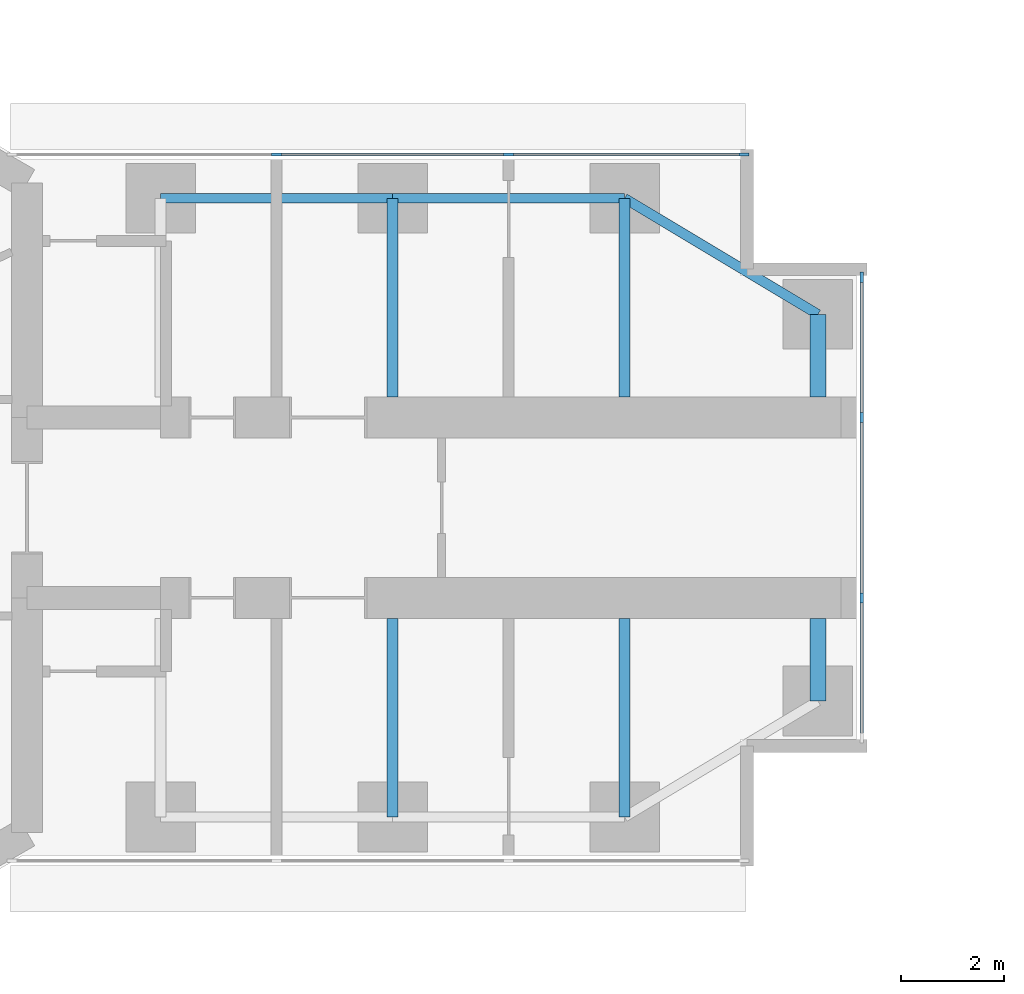
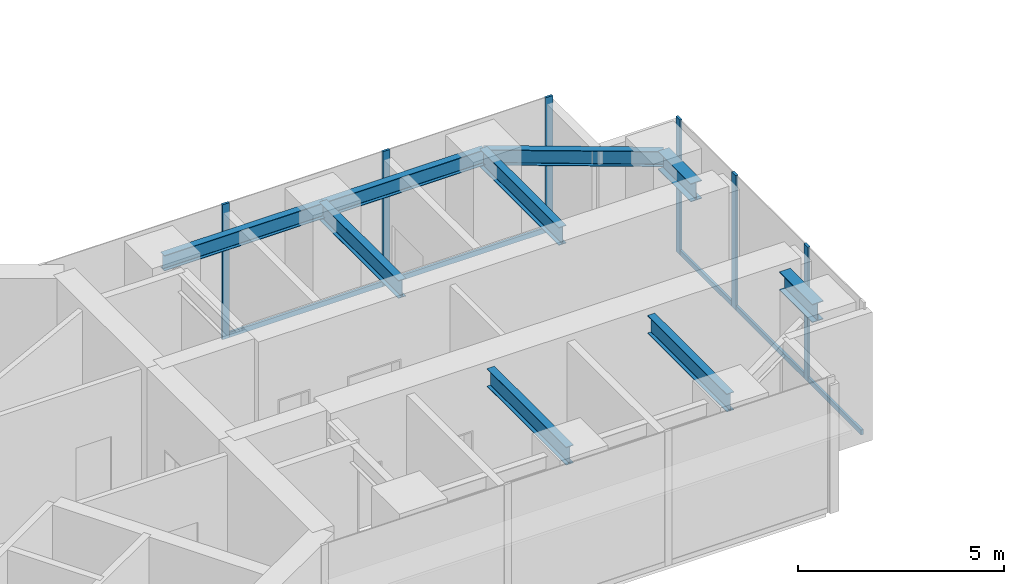
# One storey, part 7 of 21: 11 members, 9 beams, 2 elements without a shape of their own.
"""IFC4 building model written with IfcOpenShell, lengths in metres."""

from ifc_helpers import new_model, si_unit, direction, frame, origin, origin_2d, place, context, subcontext, project, spatial, rectangle, i_section, extrude, material, material_profile, profile_set, type_object, element, aggregate, save


model = new_model("IFC4")

# Units and contexts
model_context = context("Model", 3, precision=1e-05, world=origin(), true_north=direction((0.0, 1.0)))
body_context = subcontext(model_context, "Body", "Model", "MODEL_VIEW")
ifc_project = project(units=[si_unit("LENGTHUNIT", "METRE"), si_unit("AREAUNIT", "SQUARE_METRE"), si_unit("VOLUMEUNIT", "CUBIC_METRE"), si_unit("PLANEANGLEUNIT", "RADIAN"), si_unit("MASSUNIT", "GRAM", prefix="KILO")], contexts=[model_context])

# Site, building, storey
site_placement = place(None, origin())
site = spatial("IfcSite", under=ifc_project, at=site_placement, CompositionType="ELEMENT")
building_placement = place(site_placement, origin())
building = spatial("IfcBuilding", under=site, at=building_placement, Name="Upepo Twin Towers", CompositionType="ELEMENT")
storey_placement = place(building_placement, frame((0.0, 0.0, 117.5)))
storey = spatial("IfcBuildingStorey", under=building, at=storey_placement, Name="L28", CompositionType="ELEMENT", Elevation=117.5)

# Beams
ifc_material_1 = material(Name="Steel S355", Category="steel")
ifc_material_profile_1 = material_profile(ifc_material_1, i_section(OverallWidth=0.1904296875, OverallDepth=0.45703125, WebThickness=0.009033203125, FlangeThickness=0.014404296875, FilletRadius=0.01025390625, at=origin_2d()), Name="UB 457x191x74")
ifc_profile_set_1 = profile_set([ifc_material_profile_1], Name="Steel S355")
beam_type_1 = type_object("IfcBeamType", Name="Beam UB 457x191x74", PredefinedType="BEAM", material=ifc_profile_set_1)
for number, where, z_axis, x_axis, name in (
    (1, (13.5, 6.0, 3.571533203125), (1.0, 0.0, 0.0), (0.0, 1.0, 0.0), "T1 edge beam AL 13.5-18.0"),
    (2, (18.0, 6.0, 3.571533203125), (1.0, 0.0, 0.0), (0.0, 1.0, 0.0), "T1 edge beam AL 18.0-22.5"),
):
    element("IfcBeam", number, at=place(storey_placement, frame(where, z_axis=z_axis, x_axis=x_axis)), inside=storey, type_object=beam_type_1, Name=name, PredefinedType="BEAM", context=body_context, shape_type="SweptSolid", body=[
        extrude(i_section(OverallWidth=0.1904296875, OverallDepth=0.45703125, WebThickness=0.009033203125, FlangeThickness=0.014404296875, FilletRadius=0.01025390625, at=origin_2d()), origin(), (0.0, 0.0, 1.0), 4.5),
    ])
beam_placement = place(storey_placement, frame((22.5, 6.0, 3.571533203125), z_axis=(0.857492925713, -0.514495755428, 0.0), x_axis=(0.514495755428, 0.857492925713, 0.0)))
element("IfcBeam", 3, at=beam_placement, inside=storey, type_object=beam_type_1, Name="T1 nose edge beam AL", PredefinedType="BEAM", context=body_context, shape_type="SweptSolid", body=[
    extrude(i_section(OverallWidth=0.1904296875, OverallDepth=0.45703125, WebThickness=0.009033203125, FlangeThickness=0.014404296875, FilletRadius=0.01025390625, at=origin_2d()), origin(), (0.0, 0.0, 1.0), 4.373291015625),
])
ifc_material_2 = material(Name="Steel S355", Category="steel")
ifc_material_profile_2 = material_profile(ifc_material_2, i_section(OverallWidth=0.209228515625, OverallDepth=0.533203125, WebThickness=0.010009765625, FlangeThickness=0.015625, FilletRadius=0.0126953125, at=origin_2d()), Name="UB 533x210x92")
ifc_profile_set_2 = profile_set([ifc_material_profile_2], Name="Steel S355")
beam_type_2 = type_object("IfcBeamType", Name="Beam UB 533x210x92", PredefinedType="BEAM", material=ifc_profile_set_2)
for number, where, z_axis, x_axis, name in (
    (4, (18.0, 6.0, 3.533447265625), (0.0, -1.0, 0.0), (1.0, 0.0, 0.0), "T1 girder AL at 18.0"),
    (5, (22.5, 6.0, 3.533447265625), (0.0, -1.0, 0.0), (1.0, 0.0, 0.0), "T1 girder AL at 22.5"),
    (6, (18.0, -6.0, 3.533447265625), (0.0, 1.0, 0.0), (-1.0, 0.0, 0.0), "T1 girder AR at 18.0"),
    (7, (22.5, -6.0, 3.533447265625), (0.0, 1.0, 0.0), (-1.0, 0.0, 0.0), "T1 girder AR at 22.5"),
):
    element("IfcBeam", number, at=place(storey_placement, frame(where, z_axis=z_axis, x_axis=x_axis)), inside=storey, type_object=beam_type_2, Name=name, PredefinedType="BEAM", context=body_context, shape_type="SweptSolid", body=[
        extrude(i_section(OverallWidth=0.209228515625, OverallDepth=0.533203125, WebThickness=0.010009765625, FlangeThickness=0.015625, FilletRadius=0.0126953125, at=origin_2d()), origin(), (0.0, 0.0, 1.0), 3.85009765625),
    ])
ifc_material_3 = material(Name="Steel S355", Category="steel")
ifc_material_profile_3 = material_profile(ifc_material_3, i_section(OverallWidth=0.31201171875, OverallDepth=0.54345703125, WebThickness=0.0126953125, FlangeThickness=0.020263671875, FilletRadius=0.0126953125, at=origin_2d()), Name="UB 533x312x150")
ifc_profile_set_3 = profile_set([ifc_material_profile_3], Name="Steel S355")
beam_type_3 = type_object("IfcBeamType", Name="Beam UB 533x312x150", PredefinedType="BEAM", material=ifc_profile_set_3)
for number, where, z_axis, x_axis, name in (
    (8, (26.25, 3.75, 3.5283203125), (0.0, -1.0, 0.0), (1.0, 0.0, 0.0), "T1 nose beam AL"),
    (9, (26.25, -3.75, 3.5283203125), (0.0, 1.0, 0.0), (-1.0, 0.0, 0.0), "T1 nose beam AR"),
):
    element("IfcBeam", number, at=place(storey_placement, frame(where, z_axis=z_axis, x_axis=x_axis)), inside=storey, type_object=beam_type_3, Name=name, PredefinedType="BEAM", context=body_context, shape_type="SweptSolid", body=[
        extrude(i_section(OverallWidth=0.31201171875, OverallDepth=0.54345703125, WebThickness=0.0126953125, FlangeThickness=0.020263671875, FilletRadius=0.0126953125, at=origin_2d()), origin(), (0.0, 0.0, 1.0), 1.60009765625),
    ])

# Curtain wall, members
ifc_material_4 = material(Name="Aluminium and fritted glass", Category="aluminium")
curtain_wall_type = type_object("IfcCurtainWallType", Name="Tower curtain wall TW2, fritted glass", PredefinedType="NOTDEFINED", material=ifc_material_4)
curtain_wall_1_placement = place(storey_placement, origin())
curtain_wall_1 = element("IfcCurtainWall", 10, at=curtain_wall_1_placement, inside=storey, type_object=curtain_wall_type, Name="T1 L28 wing A flank L curtain wall", PredefinedType="NOTDEFINED")
ifc_material_5 = material(Name="Aluminium mullion", Category="aluminium")
ifc_material_profile_4 = material_profile(ifc_material_5, rectangle(XDim=0.06494140625, YDim=0.199951171875, at=origin_2d()), Name="MULLION 65x200")
ifc_profile_set_4 = profile_set([ifc_material_profile_4], Name="Aluminium mullion")
member_type_1 = type_object("IfcMemberType", Name="Mullion 65x200 TW2", PredefinedType="MULLION", material=ifc_profile_set_4)
member_1_placement = place(storey_placement, frame((15.75, 6.85009765625, 0.0), z_axis=(0.0, 0.0, 1.0), x_axis=(0.0, 1.0, 0.0)))
member_1 = element("IfcMember", 11, at=member_1_placement, type_object=member_type_1, Name="T1 L28 wing A flank L curtain wall mullion 2", PredefinedType="MULLION", context=body_context, shape_type="SweptSolid", body=[
    extrude(rectangle(XDim=0.06494140625, YDim=0.199951171875, at=origin_2d()), origin(), (0.0, 0.0, 1.0), 4.0),
])
member_2_placement = place(storey_placement, frame((20.25, 6.85009765625, 0.0), z_axis=(0.0, 0.0, 1.0), x_axis=(0.0, 1.0, 0.0)))
member_2 = element("IfcMember", 12, at=member_2_placement, type_object=member_type_1, Name="T1 L28 wing A flank L curtain wall mullion 3", PredefinedType="MULLION", context=body_context, shape_type="SweptSolid", body=[
    extrude(rectangle(XDim=0.06494140625, YDim=0.199951171875, at=origin_2d()), origin(), (0.0, 0.0, 1.0), 4.0),
])
member_3_placement = place(storey_placement, frame((24.8173828125, 6.85009765625, 0.0), z_axis=(0.0, 0.0, 1.0), x_axis=(0.0, 1.0, 0.0)))
member_3 = element("IfcMember", 13, at=member_3_placement, type_object=member_type_1, Name="T1 L28 wing A flank L curtain wall mullion 4", PredefinedType="MULLION", context=body_context, shape_type="SweptSolid", body=[
    extrude(rectangle(XDim=0.06494140625, YDim=0.199951171875, at=origin_2d()), origin(), (0.0, 0.0, 1.0), 4.0),
])

curtain_wall_2_placement = place(storey_placement, origin())
curtain_wall_2 = element("IfcCurtainWall", 14, at=curtain_wall_2_placement, inside=storey, type_object=curtain_wall_type, Name="T1 L28 wing A nose curtain wall", PredefinedType="NOTDEFINED")
member_4_placement = place(storey_placement, frame((27.10009765625, -1.75, 0.0), z_axis=(0.0, 0.0, 1.0), x_axis=(-1.0, 0.0, 0.0)))
member_4 = element("IfcMember", 15, at=member_4_placement, type_object=member_type_1, Name="T1 L28 wing A nose curtain wall mullion 2", PredefinedType="MULLION", context=body_context, shape_type="SweptSolid", body=[
    extrude(rectangle(XDim=0.06494140625, YDim=0.199951171875, at=origin_2d()), origin(), (0.0, 0.0, 1.0), 4.0),
])
member_5_placement = place(storey_placement, frame((27.10009765625, 1.75, 0.0), z_axis=(0.0, 0.0, 1.0), x_axis=(-1.0, 0.0, 0.0)))
member_5 = element("IfcMember", 16, at=member_5_placement, type_object=member_type_1, Name="T1 L28 wing A nose curtain wall mullion 3", PredefinedType="MULLION", context=body_context, shape_type="SweptSolid", body=[
    extrude(rectangle(XDim=0.06494140625, YDim=0.199951171875, at=origin_2d()), origin(), (0.0, 0.0, 1.0), 4.0),
])
member_6_placement = place(storey_placement, frame((27.10009765625, 4.467529296875, 0.0), z_axis=(0.0, 0.0, 1.0), x_axis=(-1.0, 0.0, 0.0)))
member_6 = element("IfcMember", 17, at=member_6_placement, type_object=member_type_1, Name="T1 L28 wing A nose curtain wall mullion 4", PredefinedType="MULLION", context=body_context, shape_type="SweptSolid", body=[
    extrude(rectangle(XDim=0.06494140625, YDim=0.199951171875, at=origin_2d()), origin(), (0.0, 0.0, 1.0), 4.0),
])

# Member
ifc_material_6 = material(Name="Aluminium transom", Category="aluminium")
ifc_material_profile_5 = material_profile(ifc_material_6, rectangle(XDim=0.06494140625, YDim=0.14990234375, at=origin_2d()), Name="TRANSOM 65x150")
ifc_profile_set_5 = profile_set([ifc_material_profile_5], Name="Aluminium transom")
member_type_2 = type_object("IfcMemberType", Name="Transom 65x150 TW2", PredefinedType="USERDEFINED", material=ifc_profile_set_5)
member_7_placement = place(storey_placement, frame((15.782470703125, 6.85009765625, 0.074951171875), z_axis=(1.0, 0.0, 0.0), x_axis=(0.0, 1.0, 0.0)))
member_7 = element("IfcMember", 18, at=member_7_placement, type_object=member_type_2, Name="T1 L28 wing A flank L curtain wall transom 2", ObjectType="TRANSOM", PredefinedType="USERDEFINED", context=body_context, shape_type="SweptSolid", body=[
    extrude(rectangle(XDim=0.06494140625, YDim=0.14990234375, at=origin_2d()), origin(), (0.0, 0.0, 1.0), 4.43505859375),
])

member_8_placement = place(storey_placement, frame((20.282470703125, 6.85009765625, 0.074951171875), z_axis=(1.0, 0.0, 0.0), x_axis=(0.0, 1.0, 0.0)))
member_8 = element("IfcMember", 19, at=member_8_placement, type_object=member_type_2, Name="T1 L28 wing A flank L curtain wall transom 3", ObjectType="TRANSOM", PredefinedType="USERDEFINED", context=body_context, shape_type="SweptSolid", body=[
    extrude(rectangle(XDim=0.06494140625, YDim=0.14990234375, at=origin_2d()), origin(), (0.0, 0.0, 1.0), 4.50244140625),
])

aggregate(curtain_wall_1, [member_1, member_2, member_3, member_7, member_8])

member_9_placement = place(storey_placement, frame((27.10009765625, -4.43505859375, 0.074951171875), z_axis=(0.0, 1.0, 0.0), x_axis=(-1.0, 0.0, 0.0)))
member_9 = element("IfcMember", 20, at=member_9_placement, type_object=member_type_2, Name="T1 L28 wing A nose curtain wall transom 1", ObjectType="TRANSOM", PredefinedType="USERDEFINED", context=body_context, shape_type="SweptSolid", body=[
    extrude(rectangle(XDim=0.06494140625, YDim=0.14990234375, at=origin_2d()), origin(), (0.0, 0.0, 1.0), 2.652587890625),
])

member_10_placement = place(storey_placement, frame((27.10009765625, -1.717529296875, 0.074951171875), z_axis=(0.0, 1.0, 0.0), x_axis=(-1.0, 0.0, 0.0)))
member_10 = element("IfcMember", 21, at=member_10_placement, type_object=member_type_2, Name="T1 L28 wing A nose curtain wall transom 2", ObjectType="TRANSOM", PredefinedType="USERDEFINED", context=body_context, shape_type="SweptSolid", body=[
    extrude(rectangle(XDim=0.06494140625, YDim=0.14990234375, at=origin_2d()), origin(), (0.0, 0.0, 1.0), 3.43505859375),
])

member_11_placement = place(storey_placement, frame((27.10009765625, 1.782470703125, 0.074951171875), z_axis=(0.0, 1.0, 0.0), x_axis=(-1.0, 0.0, 0.0)))
member_11 = element("IfcMember", 22, at=member_11_placement, type_object=member_type_2, Name="T1 L28 wing A nose curtain wall transom 3", ObjectType="TRANSOM", PredefinedType="USERDEFINED", context=body_context, shape_type="SweptSolid", body=[
    extrude(rectangle(XDim=0.06494140625, YDim=0.14990234375, at=origin_2d()), origin(), (0.0, 0.0, 1.0), 2.652587890625),
])

aggregate(curtain_wall_2, [member_4, member_5, member_6, member_9, member_10, member_11])

save(model, "model.ifc")
